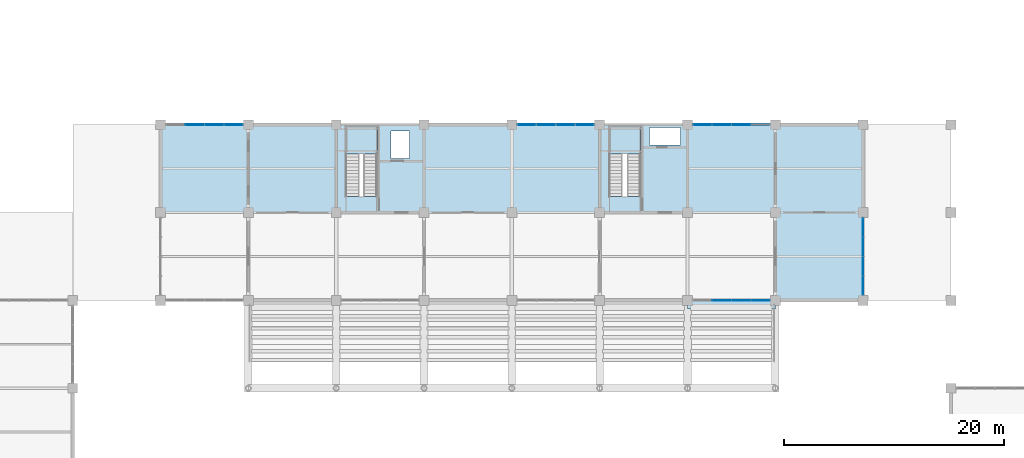
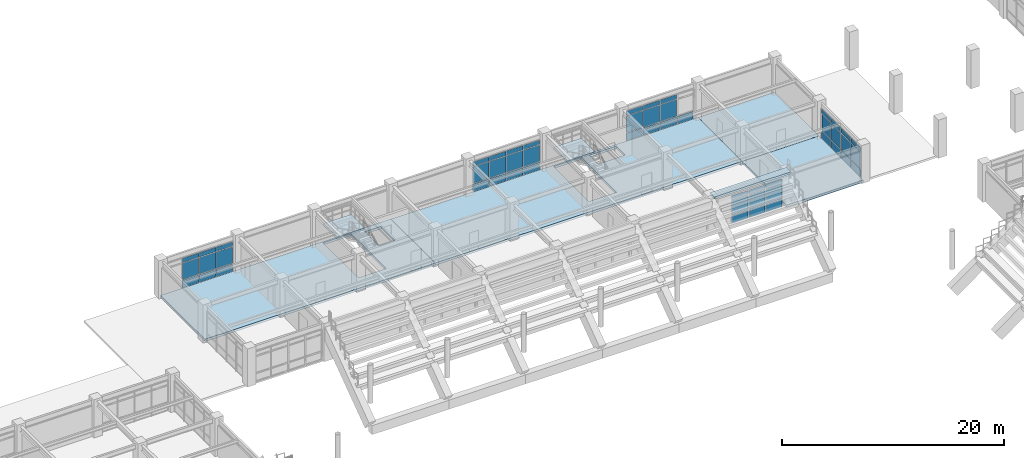
# One storey, part 82 of 118: 52 plates, 7 slabs, 7 elements without a shape of their own.
"""IFC4 building model written with IfcOpenShell, lengths in metres."""

from ifc_helpers import new_model, si_unit, direction, frame, origin, origin_2d, place, context, subcontext, project, spatial, polyline, rectangle, outline, extrude, material, layer, layer_set, type_object, element, aggregate, save


model = new_model("IFC4")

# Units and contexts
model_context = context("Model", 3, precision=1e-05, world=origin(), true_north=direction((0.0, 1.0)))
body_context = subcontext(model_context, "Body", "Model", "MODEL_VIEW")
ifc_project = project(units=[si_unit("LENGTHUNIT", "METRE"), si_unit("AREAUNIT", "SQUARE_METRE"), si_unit("VOLUMEUNIT", "CUBIC_METRE"), si_unit("PLANEANGLEUNIT", "RADIAN"), si_unit("MASSUNIT", "GRAM", prefix="KILO")], contexts=[model_context])

# Site, building, storey
site_placement = place(None, origin())
site = spatial("IfcSite", under=ifc_project, at=site_placement, CompositionType="ELEMENT")
building_placement = place(site_placement, origin())
building = spatial("IfcBuilding", under=site, at=building_placement, Name="Haebicheon Civic Stadium", CompositionType="ELEMENT")
storey_placement = place(building_placement, frame((0.0, 0.0, 14.39990234375)))
storey = spatial("IfcBuildingStorey", under=building, at=storey_placement, Name="L04", CompositionType="ELEMENT", Elevation=14.39990234375)

# Curtain wall, plates
ifc_material_1 = material(Name="Anodised aluminium and laminated glass", Category="aluminium")
ifc_layer_1 = layer(ifc_material_1, 0.179931640625, Name="Anodised aluminium and laminated glass")
ifc_layer_set_1 = layer_set([ifc_layer_1], Name="Anodised aluminium and laminated glass")
curtain_wall_type_1 = type_object("IfcCurtainWallType", Name="CW-7100x3330", PredefinedType="NOTDEFINED", material=ifc_layer_set_1)
curtain_wall_1_placement = place(storey_placement, origin())
curtain_wall_1 = element("IfcCurtainWall", 1, at=curtain_wall_1_placement, inside=storey, type_object=curtain_wall_type_1, material=ifc_layer_set_1, Name="L04 unitised curtain wall 128", PredefinedType="NOTDEFINED")
ifc_material_2 = material(Name="Double low-e acoustic laminated glass", Category="glass")
ifc_layer_2 = layer(ifc_material_2, 0.035888671875, Name="Double low-e acoustic laminated glass")
ifc_layer_set_2 = layer_set([ifc_layer_2], Name="Double low-e acoustic laminated glass")
plate_type_1 = type_object("IfcPlateType", Name="CWP-GLZ-36", PredefinedType="CURTAIN_PANEL", material=ifc_layer_set_2)
plate_1_placement = place(storey_placement, frame((75.112060546875, 168.0, 0.93505859375), z_axis=(0.0, 0.0, 1.0), x_axis=(1.0, 0.0, 0.0)))
plate_1 = element("IfcPlate", 2, at=plate_1_placement, type_object=plate_type_1, material=ifc_layer_set_2, Name="CW-L04-128 vision panel 2.2", PredefinedType="CURTAIN_PANEL", context=body_context, shape_type="SweptSolid", body=[
    extrude(rectangle(XDim=1.705078125, YDim=0.035888671875, at=origin_2d()), origin(), (0.0, 0.0, 1.0), 1.81005859375),
])
plate_2_placement = place(storey_placement, frame((76.887939453125, 168.0, 0.93505859375), z_axis=(0.0, 0.0, 1.0), x_axis=(1.0, 0.0, 0.0)))
plate_2 = element("IfcPlate", 3, at=plate_2_placement, type_object=plate_type_1, material=ifc_layer_set_2, Name="CW-L04-128 vision panel 3.2", PredefinedType="CURTAIN_PANEL", context=body_context, shape_type="SweptSolid", body=[
    extrude(rectangle(XDim=1.705078125, YDim=0.035888671875, at=origin_2d()), origin(), (0.0, 0.0, 1.0), 1.81005859375),
])
plate_3_placement = place(storey_placement, frame((78.64501953125, 168.0, 0.93505859375), z_axis=(0.0, 0.0, 1.0), x_axis=(1.0, 0.0, 0.0)))
plate_3 = element("IfcPlate", 4, at=plate_3_placement, type_object=plate_type_1, material=ifc_layer_set_2, Name="CW-L04-128 vision panel 4.2", PredefinedType="CURTAIN_PANEL", context=body_context, shape_type="SweptSolid", body=[
    extrude(rectangle(XDim=1.669921875, YDim=0.035888671875, at=origin_2d()), origin(), (0.0, 0.0, 1.0), 1.81005859375),
])

curtain_wall_2_placement = place(storey_placement, origin())
curtain_wall_2 = element("IfcCurtainWall", 5, at=curtain_wall_2_placement, inside=storey, type_object=curtain_wall_type_1, material=ifc_layer_set_1, Name="L04 unitised curtain wall 135", PredefinedType="NOTDEFINED")
plate_4_placement = place(storey_placement, frame((105.35498046875, 168.0, 0.93505859375), z_axis=(0.0, 0.0, 1.0), x_axis=(1.0, 0.0, 0.0)))
plate_4 = element("IfcPlate", 6, at=plate_4_placement, type_object=plate_type_1, material=ifc_layer_set_2, Name="CW-L04-135 vision panel 1.2", PredefinedType="CURTAIN_PANEL", context=body_context, shape_type="SweptSolid", body=[
    extrude(rectangle(XDim=1.669921875, YDim=0.035888671875, at=origin_2d()), origin(), (0.0, 0.0, 1.0), 1.81005859375),
])
plate_5_placement = place(storey_placement, frame((107.112060546875, 168.0, 0.93505859375), z_axis=(0.0, 0.0, 1.0), x_axis=(1.0, 0.0, 0.0)))
plate_5 = element("IfcPlate", 7, at=plate_5_placement, type_object=plate_type_1, material=ifc_layer_set_2, Name="CW-L04-135 vision panel 2.2", PredefinedType="CURTAIN_PANEL", context=body_context, shape_type="SweptSolid", body=[
    extrude(rectangle(XDim=1.705078125, YDim=0.035888671875, at=origin_2d()), origin(), (0.0, 0.0, 1.0), 1.81005859375),
])
plate_6_placement = place(storey_placement, frame((108.887939453125, 168.0, 0.93505859375), z_axis=(0.0, 0.0, 1.0), x_axis=(1.0, 0.0, 0.0)))
plate_6 = element("IfcPlate", 8, at=plate_6_placement, type_object=plate_type_1, material=ifc_layer_set_2, Name="CW-L04-135 vision panel 3.2", PredefinedType="CURTAIN_PANEL", context=body_context, shape_type="SweptSolid", body=[
    extrude(rectangle(XDim=1.705078125, YDim=0.035888671875, at=origin_2d()), origin(), (0.0, 0.0, 1.0), 1.81005859375),
])
plate_7_placement = place(storey_placement, frame((110.64501953125, 168.0, 0.93505859375), z_axis=(0.0, 0.0, 1.0), x_axis=(1.0, 0.0, 0.0)))
plate_7 = element("IfcPlate", 9, at=plate_7_placement, type_object=plate_type_1, material=ifc_layer_set_2, Name="CW-L04-135 vision panel 4.2", PredefinedType="CURTAIN_PANEL", context=body_context, shape_type="SweptSolid", body=[
    extrude(rectangle(XDim=1.669921875, YDim=0.035888671875, at=origin_2d()), origin(), (0.0, 0.0, 1.0), 1.81005859375),
])

ifc_material_3 = material(Name="Anodised aluminium and laminated glass", Category="aluminium")
ifc_layer_3 = layer(ifc_material_3, 0.179931640625, Name="Anodised aluminium and laminated glass")
ifc_layer_set_3 = layer_set([ifc_layer_3], Name="Anodised aluminium and laminated glass")
curtain_wall_type_2 = type_object("IfcCurtainWallType", Name="CW-7100x3100", PredefinedType="NOTDEFINED", material=ifc_layer_set_3)
curtain_wall_3_placement = place(storey_placement, origin())
curtain_wall_3 = element("IfcCurtainWall", 10, at=curtain_wall_3_placement, inside=storey, type_object=curtain_wall_type_2, material=ifc_layer_set_3, Name="L04 unitised curtain wall 137", PredefinedType="NOTDEFINED")
plate_8_placement = place(storey_placement, frame((123.112060546875, 152.0, 0.93505859375), z_axis=(0.0, 0.0, 1.0), x_axis=(1.0, 0.0, 0.0)))
plate_8 = element("IfcPlate", 11, at=plate_8_placement, type_object=plate_type_1, material=ifc_layer_set_2, Name="CW-L04-137 vision panel 2.2", PredefinedType="CURTAIN_PANEL", context=body_context, shape_type="SweptSolid", body=[
    extrude(rectangle(XDim=1.705078125, YDim=0.035888671875, at=origin_2d()), origin(), (0.0, 0.0, 1.0), 1.580078125),
])
plate_9_placement = place(storey_placement, frame((124.887939453125, 152.0, 0.93505859375), z_axis=(0.0, 0.0, 1.0), x_axis=(1.0, 0.0, 0.0)))
plate_9 = element("IfcPlate", 12, at=plate_9_placement, type_object=plate_type_1, material=ifc_layer_set_2, Name="CW-L04-137 vision panel 3.2", PredefinedType="CURTAIN_PANEL", context=body_context, shape_type="SweptSolid", body=[
    extrude(rectangle(XDim=1.705078125, YDim=0.035888671875, at=origin_2d()), origin(), (0.0, 0.0, 1.0), 1.580078125),
])
plate_10_placement = place(storey_placement, frame((126.64501953125, 152.0, 0.93505859375), z_axis=(0.0, 0.0, 1.0), x_axis=(1.0, 0.0, 0.0)))
plate_10 = element("IfcPlate", 13, at=plate_10_placement, type_object=plate_type_1, material=ifc_layer_set_2, Name="CW-L04-137 vision panel 4.2", PredefinedType="CURTAIN_PANEL", context=body_context, shape_type="SweptSolid", body=[
    extrude(rectangle(XDim=1.669921875, YDim=0.035888671875, at=origin_2d()), origin(), (0.0, 0.0, 1.0), 1.580078125),
])

curtain_wall_4_placement = place(storey_placement, origin())
curtain_wall_4 = element("IfcCurtainWall", 14, at=curtain_wall_4_placement, inside=storey, type_object=curtain_wall_type_1, material=ifc_layer_set_1, Name="L04 unitised curtain wall 138", PredefinedType="NOTDEFINED")
plate_11_placement = place(storey_placement, frame((121.35498046875, 168.0, 0.93505859375), z_axis=(0.0, 0.0, 1.0), x_axis=(1.0, 0.0, 0.0)))
plate_11 = element("IfcPlate", 15, at=plate_11_placement, type_object=plate_type_1, material=ifc_layer_set_2, Name="CW-L04-138 vision panel 1.2", PredefinedType="CURTAIN_PANEL", context=body_context, shape_type="SweptSolid", body=[
    extrude(rectangle(XDim=1.669921875, YDim=0.035888671875, at=origin_2d()), origin(), (0.0, 0.0, 1.0), 1.81005859375),
])
plate_12_placement = place(storey_placement, frame((123.112060546875, 168.0, 0.93505859375), z_axis=(0.0, 0.0, 1.0), x_axis=(1.0, 0.0, 0.0)))
plate_12 = element("IfcPlate", 16, at=plate_12_placement, type_object=plate_type_1, material=ifc_layer_set_2, Name="CW-L04-138 vision panel 2.2", PredefinedType="CURTAIN_PANEL", context=body_context, shape_type="SweptSolid", body=[
    extrude(rectangle(XDim=1.705078125, YDim=0.035888671875, at=origin_2d()), origin(), (0.0, 0.0, 1.0), 1.81005859375),
])
plate_13_placement = place(storey_placement, frame((124.887939453125, 168.0, 0.93505859375), z_axis=(0.0, 0.0, 1.0), x_axis=(1.0, 0.0, 0.0)))
plate_13 = element("IfcPlate", 17, at=plate_13_placement, type_object=plate_type_1, material=ifc_layer_set_2, Name="CW-L04-138 vision panel 3.2", PredefinedType="CURTAIN_PANEL", context=body_context, shape_type="SweptSolid", body=[
    extrude(rectangle(XDim=1.705078125, YDim=0.035888671875, at=origin_2d()), origin(), (0.0, 0.0, 1.0), 1.81005859375),
])

curtain_wall_5_placement = place(storey_placement, origin())
curtain_wall_5 = element("IfcCurtainWall", 18, at=curtain_wall_5_placement, inside=storey, type_object=curtain_wall_type_1, material=ifc_layer_set_1, Name="L04 unitised curtain wall 142", PredefinedType="NOTDEFINED")
plate_14_placement = place(storey_placement, frame((136.0, 153.35498046875, 0.93505859375), z_axis=(0.0, 0.0, 1.0), x_axis=(0.0, 1.0, 0.0)))
plate_14 = element("IfcPlate", 19, at=plate_14_placement, type_object=plate_type_1, material=ifc_layer_set_2, Name="CW-L04-142 vision panel 1.2", PredefinedType="CURTAIN_PANEL", context=body_context, shape_type="SweptSolid", body=[
    extrude(rectangle(XDim=1.669921875, YDim=0.035888671875, at=origin_2d()), origin(), (0.0, 0.0, 1.0), 1.81005859375),
])
plate_15_placement = place(storey_placement, frame((136.0, 155.112060546875, 0.93505859375), z_axis=(0.0, 0.0, 1.0), x_axis=(0.0, 1.0, 0.0)))
plate_15 = element("IfcPlate", 20, at=plate_15_placement, type_object=plate_type_1, material=ifc_layer_set_2, Name="CW-L04-142 vision panel 2.2", PredefinedType="CURTAIN_PANEL", context=body_context, shape_type="SweptSolid", body=[
    extrude(rectangle(XDim=1.705078125, YDim=0.035888671875, at=origin_2d()), origin(), (0.0, 0.0, 1.0), 1.81005859375),
])
plate_16_placement = place(storey_placement, frame((136.0, 156.887939453125, 0.93505859375), z_axis=(0.0, 0.0, 1.0), x_axis=(0.0, 1.0, 0.0)))
plate_16 = element("IfcPlate", 21, at=plate_16_placement, type_object=plate_type_1, material=ifc_layer_set_2, Name="CW-L04-142 vision panel 3.2", PredefinedType="CURTAIN_PANEL", context=body_context, shape_type="SweptSolid", body=[
    extrude(rectangle(XDim=1.705078125, YDim=0.035888671875, at=origin_2d()), origin(), (0.0, 0.0, 1.0), 1.81005859375),
])
plate_17_placement = place(storey_placement, frame((136.0, 158.64501953125, 0.93505859375), z_axis=(0.0, 0.0, 1.0), x_axis=(0.0, 1.0, 0.0)))
plate_17 = element("IfcPlate", 22, at=plate_17_placement, type_object=plate_type_1, material=ifc_layer_set_2, Name="CW-L04-142 vision panel 4.2", PredefinedType="CURTAIN_PANEL", context=body_context, shape_type="SweptSolid", body=[
    extrude(rectangle(XDim=1.669921875, YDim=0.035888671875, at=origin_2d()), origin(), (0.0, 0.0, 1.0), 1.81005859375),
])

# Plate
ifc_material_4 = material(Name="Anodised aluminium 6063-T6", Category="aluminium")
ifc_layer_4 = layer(ifc_material_4, 0.053955078125, Name="Anodised aluminium 6063-T6")
ifc_layer_set_4 = layer_set([ifc_layer_4], Name="Anodised aluminium 6063-T6")
plate_type_2 = type_object("IfcPlateType", Name="CWP-SPD-54", PredefinedType="CURTAIN_PANEL", material=ifc_layer_set_4)
plate_18_placement = place(storey_placement, frame((75.112060546875, 168.0, 0.03515625), z_axis=(0.0, 0.0, 1.0), x_axis=(1.0, 0.0, 0.0)))
plate_18 = element("IfcPlate", 23, at=plate_18_placement, type_object=plate_type_2, material=ifc_layer_set_4, Name="CW-L04-128 spandrel panel 2.1", PredefinedType="CURTAIN_PANEL", context=body_context, shape_type="SweptSolid", body=[
    extrude(rectangle(XDim=1.705078125, YDim=0.053955078125, at=origin_2d()), origin(), (0.0, 0.0, 1.0), 0.830078125),
])

plate_19_placement = place(storey_placement, frame((75.112060546875, 168.0, 2.815185546875), z_axis=(0.0, 0.0, 1.0), x_axis=(1.0, 0.0, 0.0)))
plate_19 = element("IfcPlate", 24, at=plate_19_placement, type_object=plate_type_2, material=ifc_layer_set_4, Name="CW-L04-128 spandrel panel 2.3", PredefinedType="CURTAIN_PANEL", context=body_context, shape_type="SweptSolid", body=[
    extrude(rectangle(XDim=1.705078125, YDim=0.053955078125, at=origin_2d()), origin(), (0.0, 0.0, 1.0), 0.47998046875),
])

plate_20_placement = place(storey_placement, frame((76.887939453125, 168.0, 0.03515625), z_axis=(0.0, 0.0, 1.0), x_axis=(1.0, 0.0, 0.0)))
plate_20 = element("IfcPlate", 25, at=plate_20_placement, type_object=plate_type_2, material=ifc_layer_set_4, Name="CW-L04-128 spandrel panel 3.1", PredefinedType="CURTAIN_PANEL", context=body_context, shape_type="SweptSolid", body=[
    extrude(rectangle(XDim=1.705078125, YDim=0.053955078125, at=origin_2d()), origin(), (0.0, 0.0, 1.0), 0.830078125),
])

plate_21_placement = place(storey_placement, frame((76.887939453125, 168.0, 2.815185546875), z_axis=(0.0, 0.0, 1.0), x_axis=(1.0, 0.0, 0.0)))
plate_21 = element("IfcPlate", 26, at=plate_21_placement, type_object=plate_type_2, material=ifc_layer_set_4, Name="CW-L04-128 spandrel panel 3.3", PredefinedType="CURTAIN_PANEL", context=body_context, shape_type="SweptSolid", body=[
    extrude(rectangle(XDim=1.705078125, YDim=0.053955078125, at=origin_2d()), origin(), (0.0, 0.0, 1.0), 0.47998046875),
])

plate_22_placement = place(storey_placement, frame((78.64501953125, 168.0, 0.03515625), z_axis=(0.0, 0.0, 1.0), x_axis=(1.0, 0.0, 0.0)))
plate_22 = element("IfcPlate", 27, at=plate_22_placement, type_object=plate_type_2, material=ifc_layer_set_4, Name="CW-L04-128 spandrel panel 4.1", PredefinedType="CURTAIN_PANEL", context=body_context, shape_type="SweptSolid", body=[
    extrude(rectangle(XDim=1.669921875, YDim=0.053955078125, at=origin_2d()), origin(), (0.0, 0.0, 1.0), 0.830078125),
])

plate_23_placement = place(storey_placement, frame((78.64501953125, 168.0, 2.815185546875), z_axis=(0.0, 0.0, 1.0), x_axis=(1.0, 0.0, 0.0)))
plate_23 = element("IfcPlate", 28, at=plate_23_placement, type_object=plate_type_2, material=ifc_layer_set_4, Name="CW-L04-128 spandrel panel 4.3", PredefinedType="CURTAIN_PANEL", context=body_context, shape_type="SweptSolid", body=[
    extrude(rectangle(XDim=1.669921875, YDim=0.053955078125, at=origin_2d()), origin(), (0.0, 0.0, 1.0), 0.47998046875),
])

aggregate(curtain_wall_1, [plate_18, plate_1, plate_19, plate_20, plate_2, plate_21, plate_22, plate_3, plate_23])

plate_24_placement = place(storey_placement, frame((105.35498046875, 168.0, 0.03515625), z_axis=(0.0, 0.0, 1.0), x_axis=(1.0, 0.0, 0.0)))
plate_24 = element("IfcPlate", 29, at=plate_24_placement, type_object=plate_type_2, material=ifc_layer_set_4, Name="CW-L04-135 spandrel panel 1.1", PredefinedType="CURTAIN_PANEL", context=body_context, shape_type="SweptSolid", body=[
    extrude(rectangle(XDim=1.669921875, YDim=0.053955078125, at=origin_2d()), origin(), (0.0, 0.0, 1.0), 0.830078125),
])

plate_25_placement = place(storey_placement, frame((105.35498046875, 168.0, 2.815185546875), z_axis=(0.0, 0.0, 1.0), x_axis=(1.0, 0.0, 0.0)))
plate_25 = element("IfcPlate", 30, at=plate_25_placement, type_object=plate_type_2, material=ifc_layer_set_4, Name="CW-L04-135 spandrel panel 1.3", PredefinedType="CURTAIN_PANEL", context=body_context, shape_type="SweptSolid", body=[
    extrude(rectangle(XDim=1.669921875, YDim=0.053955078125, at=origin_2d()), origin(), (0.0, 0.0, 1.0), 0.47998046875),
])

plate_26_placement = place(storey_placement, frame((107.112060546875, 168.0, 0.03515625), z_axis=(0.0, 0.0, 1.0), x_axis=(1.0, 0.0, 0.0)))
plate_26 = element("IfcPlate", 31, at=plate_26_placement, type_object=plate_type_2, material=ifc_layer_set_4, Name="CW-L04-135 spandrel panel 2.1", PredefinedType="CURTAIN_PANEL", context=body_context, shape_type="SweptSolid", body=[
    extrude(rectangle(XDim=1.705078125, YDim=0.053955078125, at=origin_2d()), origin(), (0.0, 0.0, 1.0), 0.830078125),
])

plate_27_placement = place(storey_placement, frame((107.112060546875, 168.0, 2.815185546875), z_axis=(0.0, 0.0, 1.0), x_axis=(1.0, 0.0, 0.0)))
plate_27 = element("IfcPlate", 32, at=plate_27_placement, type_object=plate_type_2, material=ifc_layer_set_4, Name="CW-L04-135 spandrel panel 2.3", PredefinedType="CURTAIN_PANEL", context=body_context, shape_type="SweptSolid", body=[
    extrude(rectangle(XDim=1.705078125, YDim=0.053955078125, at=origin_2d()), origin(), (0.0, 0.0, 1.0), 0.47998046875),
])

plate_28_placement = place(storey_placement, frame((108.887939453125, 168.0, 0.03515625), z_axis=(0.0, 0.0, 1.0), x_axis=(1.0, 0.0, 0.0)))
plate_28 = element("IfcPlate", 33, at=plate_28_placement, type_object=plate_type_2, material=ifc_layer_set_4, Name="CW-L04-135 spandrel panel 3.1", PredefinedType="CURTAIN_PANEL", context=body_context, shape_type="SweptSolid", body=[
    extrude(rectangle(XDim=1.705078125, YDim=0.053955078125, at=origin_2d()), origin(), (0.0, 0.0, 1.0), 0.830078125),
])

plate_29_placement = place(storey_placement, frame((108.887939453125, 168.0, 2.815185546875), z_axis=(0.0, 0.0, 1.0), x_axis=(1.0, 0.0, 0.0)))
plate_29 = element("IfcPlate", 34, at=plate_29_placement, type_object=plate_type_2, material=ifc_layer_set_4, Name="CW-L04-135 spandrel panel 3.3", PredefinedType="CURTAIN_PANEL", context=body_context, shape_type="SweptSolid", body=[
    extrude(rectangle(XDim=1.705078125, YDim=0.053955078125, at=origin_2d()), origin(), (0.0, 0.0, 1.0), 0.47998046875),
])

plate_30_placement = place(storey_placement, frame((110.64501953125, 168.0, 0.03515625), z_axis=(0.0, 0.0, 1.0), x_axis=(1.0, 0.0, 0.0)))
plate_30 = element("IfcPlate", 35, at=plate_30_placement, type_object=plate_type_2, material=ifc_layer_set_4, Name="CW-L04-135 spandrel panel 4.1", PredefinedType="CURTAIN_PANEL", context=body_context, shape_type="SweptSolid", body=[
    extrude(rectangle(XDim=1.669921875, YDim=0.053955078125, at=origin_2d()), origin(), (0.0, 0.0, 1.0), 0.830078125),
])

plate_31_placement = place(storey_placement, frame((110.64501953125, 168.0, 2.815185546875), z_axis=(0.0, 0.0, 1.0), x_axis=(1.0, 0.0, 0.0)))
plate_31 = element("IfcPlate", 36, at=plate_31_placement, type_object=plate_type_2, material=ifc_layer_set_4, Name="CW-L04-135 spandrel panel 4.3", PredefinedType="CURTAIN_PANEL", context=body_context, shape_type="SweptSolid", body=[
    extrude(rectangle(XDim=1.669921875, YDim=0.053955078125, at=origin_2d()), origin(), (0.0, 0.0, 1.0), 0.47998046875),
])

aggregate(curtain_wall_2, [plate_24, plate_4, plate_25, plate_26, plate_5, plate_27, plate_28, plate_6, plate_29, plate_30, plate_7, plate_31])

plate_32_placement = place(storey_placement, frame((123.112060546875, 152.0, 0.03515625), z_axis=(0.0, 0.0, 1.0), x_axis=(1.0, 0.0, 0.0)))
plate_32 = element("IfcPlate", 37, at=plate_32_placement, type_object=plate_type_2, material=ifc_layer_set_4, Name="CW-L04-137 spandrel panel 2.1", PredefinedType="CURTAIN_PANEL", context=body_context, shape_type="SweptSolid", body=[
    extrude(rectangle(XDim=1.705078125, YDim=0.053955078125, at=origin_2d()), origin(), (0.0, 0.0, 1.0), 0.830078125),
])

plate_33_placement = place(storey_placement, frame((123.112060546875, 152.0, 2.585205078125), z_axis=(0.0, 0.0, 1.0), x_axis=(1.0, 0.0, 0.0)))
plate_33 = element("IfcPlate", 38, at=plate_33_placement, type_object=plate_type_2, material=ifc_layer_set_4, Name="CW-L04-137 spandrel panel 2.3", PredefinedType="CURTAIN_PANEL", context=body_context, shape_type="SweptSolid", body=[
    extrude(rectangle(XDim=1.705078125, YDim=0.053955078125, at=origin_2d()), origin(), (0.0, 0.0, 1.0), 0.47998046875),
])

plate_34_placement = place(storey_placement, frame((124.887939453125, 152.0, 0.03515625), z_axis=(0.0, 0.0, 1.0), x_axis=(1.0, 0.0, 0.0)))
plate_34 = element("IfcPlate", 39, at=plate_34_placement, type_object=plate_type_2, material=ifc_layer_set_4, Name="CW-L04-137 spandrel panel 3.1", PredefinedType="CURTAIN_PANEL", context=body_context, shape_type="SweptSolid", body=[
    extrude(rectangle(XDim=1.705078125, YDim=0.053955078125, at=origin_2d()), origin(), (0.0, 0.0, 1.0), 0.830078125),
])

plate_35_placement = place(storey_placement, frame((124.887939453125, 152.0, 2.585205078125), z_axis=(0.0, 0.0, 1.0), x_axis=(1.0, 0.0, 0.0)))
plate_35 = element("IfcPlate", 40, at=plate_35_placement, type_object=plate_type_2, material=ifc_layer_set_4, Name="CW-L04-137 spandrel panel 3.3", PredefinedType="CURTAIN_PANEL", context=body_context, shape_type="SweptSolid", body=[
    extrude(rectangle(XDim=1.705078125, YDim=0.053955078125, at=origin_2d()), origin(), (0.0, 0.0, 1.0), 0.47998046875),
])

plate_36_placement = place(storey_placement, frame((126.64501953125, 152.0, 0.03515625), z_axis=(0.0, 0.0, 1.0), x_axis=(1.0, 0.0, 0.0)))
plate_36 = element("IfcPlate", 41, at=plate_36_placement, type_object=plate_type_2, material=ifc_layer_set_4, Name="CW-L04-137 spandrel panel 4.1", PredefinedType="CURTAIN_PANEL", context=body_context, shape_type="SweptSolid", body=[
    extrude(rectangle(XDim=1.669921875, YDim=0.053955078125, at=origin_2d()), origin(), (0.0, 0.0, 1.0), 0.830078125),
])

plate_37_placement = place(storey_placement, frame((126.64501953125, 152.0, 2.585205078125), z_axis=(0.0, 0.0, 1.0), x_axis=(1.0, 0.0, 0.0)))
plate_37 = element("IfcPlate", 42, at=plate_37_placement, type_object=plate_type_2, material=ifc_layer_set_4, Name="CW-L04-137 spandrel panel 4.3", PredefinedType="CURTAIN_PANEL", context=body_context, shape_type="SweptSolid", body=[
    extrude(rectangle(XDim=1.669921875, YDim=0.053955078125, at=origin_2d()), origin(), (0.0, 0.0, 1.0), 0.47998046875),
])

aggregate(curtain_wall_3, [plate_32, plate_8, plate_33, plate_34, plate_9, plate_35, plate_36, plate_10, plate_37])

plate_38_placement = place(storey_placement, frame((121.35498046875, 168.0, 0.03515625), z_axis=(0.0, 0.0, 1.0), x_axis=(1.0, 0.0, 0.0)))
plate_38 = element("IfcPlate", 43, at=plate_38_placement, type_object=plate_type_2, material=ifc_layer_set_4, Name="CW-L04-138 spandrel panel 1.1", PredefinedType="CURTAIN_PANEL", context=body_context, shape_type="SweptSolid", body=[
    extrude(rectangle(XDim=1.669921875, YDim=0.053955078125, at=origin_2d()), origin(), (0.0, 0.0, 1.0), 0.830078125),
])

plate_39_placement = place(storey_placement, frame((121.35498046875, 168.0, 2.815185546875), z_axis=(0.0, 0.0, 1.0), x_axis=(1.0, 0.0, 0.0)))
plate_39 = element("IfcPlate", 44, at=plate_39_placement, type_object=plate_type_2, material=ifc_layer_set_4, Name="CW-L04-138 spandrel panel 1.3", PredefinedType="CURTAIN_PANEL", context=body_context, shape_type="SweptSolid", body=[
    extrude(rectangle(XDim=1.669921875, YDim=0.053955078125, at=origin_2d()), origin(), (0.0, 0.0, 1.0), 0.47998046875),
])

plate_40_placement = place(storey_placement, frame((123.112060546875, 168.0, 0.03515625), z_axis=(0.0, 0.0, 1.0), x_axis=(1.0, 0.0, 0.0)))
plate_40 = element("IfcPlate", 45, at=plate_40_placement, type_object=plate_type_2, material=ifc_layer_set_4, Name="CW-L04-138 spandrel panel 2.1", PredefinedType="CURTAIN_PANEL", context=body_context, shape_type="SweptSolid", body=[
    extrude(rectangle(XDim=1.705078125, YDim=0.053955078125, at=origin_2d()), origin(), (0.0, 0.0, 1.0), 0.830078125),
])

plate_41_placement = place(storey_placement, frame((123.112060546875, 168.0, 2.815185546875), z_axis=(0.0, 0.0, 1.0), x_axis=(1.0, 0.0, 0.0)))
plate_41 = element("IfcPlate", 46, at=plate_41_placement, type_object=plate_type_2, material=ifc_layer_set_4, Name="CW-L04-138 spandrel panel 2.3", PredefinedType="CURTAIN_PANEL", context=body_context, shape_type="SweptSolid", body=[
    extrude(rectangle(XDim=1.705078125, YDim=0.053955078125, at=origin_2d()), origin(), (0.0, 0.0, 1.0), 0.47998046875),
])

plate_42_placement = place(storey_placement, frame((124.887939453125, 168.0, 0.03515625), z_axis=(0.0, 0.0, 1.0), x_axis=(1.0, 0.0, 0.0)))
plate_42 = element("IfcPlate", 47, at=plate_42_placement, type_object=plate_type_2, material=ifc_layer_set_4, Name="CW-L04-138 spandrel panel 3.1", PredefinedType="CURTAIN_PANEL", context=body_context, shape_type="SweptSolid", body=[
    extrude(rectangle(XDim=1.705078125, YDim=0.053955078125, at=origin_2d()), origin(), (0.0, 0.0, 1.0), 0.830078125),
])

plate_43_placement = place(storey_placement, frame((124.887939453125, 168.0, 2.815185546875), z_axis=(0.0, 0.0, 1.0), x_axis=(1.0, 0.0, 0.0)))
plate_43 = element("IfcPlate", 48, at=plate_43_placement, type_object=plate_type_2, material=ifc_layer_set_4, Name="CW-L04-138 spandrel panel 3.3", PredefinedType="CURTAIN_PANEL", context=body_context, shape_type="SweptSolid", body=[
    extrude(rectangle(XDim=1.705078125, YDim=0.053955078125, at=origin_2d()), origin(), (0.0, 0.0, 1.0), 0.47998046875),
])

plate_44_placement = place(storey_placement, frame((126.64501953125, 168.0, 0.03515625), z_axis=(0.0, 0.0, 1.0), x_axis=(1.0, 0.0, 0.0)))
plate_44 = element("IfcPlate", 49, at=plate_44_placement, type_object=plate_type_2, material=ifc_layer_set_4, Name="CW-L04-138 spandrel panel 4.1", PredefinedType="CURTAIN_PANEL", context=body_context, shape_type="SweptSolid", body=[
    extrude(rectangle(XDim=1.669921875, YDim=0.053955078125, at=origin_2d()), origin(), (0.0, 0.0, 1.0), 0.830078125),
])

aggregate(curtain_wall_4, [plate_38, plate_11, plate_39, plate_40, plate_12, plate_41, plate_42, plate_13, plate_43, plate_44])

plate_45_placement = place(storey_placement, frame((136.0, 153.35498046875, 0.03515625), z_axis=(0.0, 0.0, 1.0), x_axis=(0.0, 1.0, 0.0)))
plate_45 = element("IfcPlate", 50, at=plate_45_placement, type_object=plate_type_2, material=ifc_layer_set_4, Name="CW-L04-142 spandrel panel 1.1", PredefinedType="CURTAIN_PANEL", context=body_context, shape_type="SweptSolid", body=[
    extrude(rectangle(XDim=1.669921875, YDim=0.053955078125, at=origin_2d()), origin(), (0.0, 0.0, 1.0), 0.830078125),
])

plate_46_placement = place(storey_placement, frame((136.0, 153.35498046875, 2.815185546875), z_axis=(0.0, 0.0, 1.0), x_axis=(0.0, 1.0, 0.0)))
plate_46 = element("IfcPlate", 51, at=plate_46_placement, type_object=plate_type_2, material=ifc_layer_set_4, Name="CW-L04-142 spandrel panel 1.3", PredefinedType="CURTAIN_PANEL", context=body_context, shape_type="SweptSolid", body=[
    extrude(rectangle(XDim=1.669921875, YDim=0.053955078125, at=origin_2d()), origin(), (0.0, 0.0, 1.0), 0.47998046875),
])

plate_47_placement = place(storey_placement, frame((136.0, 155.112060546875, 0.03515625), z_axis=(0.0, 0.0, 1.0), x_axis=(0.0, 1.0, 0.0)))
plate_47 = element("IfcPlate", 52, at=plate_47_placement, type_object=plate_type_2, material=ifc_layer_set_4, Name="CW-L04-142 spandrel panel 2.1", PredefinedType="CURTAIN_PANEL", context=body_context, shape_type="SweptSolid", body=[
    extrude(rectangle(XDim=1.705078125, YDim=0.053955078125, at=origin_2d()), origin(), (0.0, 0.0, 1.0), 0.830078125),
])

plate_48_placement = place(storey_placement, frame((136.0, 155.112060546875, 2.815185546875), z_axis=(0.0, 0.0, 1.0), x_axis=(0.0, 1.0, 0.0)))
plate_48 = element("IfcPlate", 53, at=plate_48_placement, type_object=plate_type_2, material=ifc_layer_set_4, Name="CW-L04-142 spandrel panel 2.3", PredefinedType="CURTAIN_PANEL", context=body_context, shape_type="SweptSolid", body=[
    extrude(rectangle(XDim=1.705078125, YDim=0.053955078125, at=origin_2d()), origin(), (0.0, 0.0, 1.0), 0.47998046875),
])

plate_49_placement = place(storey_placement, frame((136.0, 156.887939453125, 0.03515625), z_axis=(0.0, 0.0, 1.0), x_axis=(0.0, 1.0, 0.0)))
plate_49 = element("IfcPlate", 54, at=plate_49_placement, type_object=plate_type_2, material=ifc_layer_set_4, Name="CW-L04-142 spandrel panel 3.1", PredefinedType="CURTAIN_PANEL", context=body_context, shape_type="SweptSolid", body=[
    extrude(rectangle(XDim=1.705078125, YDim=0.053955078125, at=origin_2d()), origin(), (0.0, 0.0, 1.0), 0.830078125),
])

plate_50_placement = place(storey_placement, frame((136.0, 156.887939453125, 2.815185546875), z_axis=(0.0, 0.0, 1.0), x_axis=(0.0, 1.0, 0.0)))
plate_50 = element("IfcPlate", 55, at=plate_50_placement, type_object=plate_type_2, material=ifc_layer_set_4, Name="CW-L04-142 spandrel panel 3.3", PredefinedType="CURTAIN_PANEL", context=body_context, shape_type="SweptSolid", body=[
    extrude(rectangle(XDim=1.705078125, YDim=0.053955078125, at=origin_2d()), origin(), (0.0, 0.0, 1.0), 0.47998046875),
])

plate_51_placement = place(storey_placement, frame((136.0, 158.64501953125, 0.03515625), z_axis=(0.0, 0.0, 1.0), x_axis=(0.0, 1.0, 0.0)))
plate_51 = element("IfcPlate", 56, at=plate_51_placement, type_object=plate_type_2, material=ifc_layer_set_4, Name="CW-L04-142 spandrel panel 4.1", PredefinedType="CURTAIN_PANEL", context=body_context, shape_type="SweptSolid", body=[
    extrude(rectangle(XDim=1.669921875, YDim=0.053955078125, at=origin_2d()), origin(), (0.0, 0.0, 1.0), 0.830078125),
])

plate_52_placement = place(storey_placement, frame((136.0, 158.64501953125, 2.815185546875), z_axis=(0.0, 0.0, 1.0), x_axis=(0.0, 1.0, 0.0)))
plate_52 = element("IfcPlate", 57, at=plate_52_placement, type_object=plate_type_2, material=ifc_layer_set_4, Name="CW-L04-142 spandrel panel 4.3", PredefinedType="CURTAIN_PANEL", context=body_context, shape_type="SweptSolid", body=[
    extrude(rectangle(XDim=1.669921875, YDim=0.053955078125, at=origin_2d()), origin(), (0.0, 0.0, 1.0), 0.47998046875),
])

aggregate(curtain_wall_5, [plate_45, plate_14, plate_46, plate_47, plate_15, plate_48, plate_49, plate_16, plate_50, plate_51, plate_17, plate_52])

# Slabs
ifc_material_5 = material(Name="Concrete C40/50", Category="concrete")
ifc_layer_5 = layer(ifc_material_5, 0.260009765625, Name="Concrete C40/50")
ifc_layer_set_5 = layer_set([ifc_layer_5], Name="Concrete C40/50")
slab_type_1 = type_object("IfcSlabType", Name="SLB-FLR-260", PredefinedType="FLOOR", material=ifc_layer_set_5)
slab_1_placement = place(storey_placement, frame((0.0, 0.0, -0.260009765625)))
element("IfcSlab", 58, at=slab_1_placement, inside=storey, type_object=slab_type_1, material=ifc_layer_set_5, Name="L04 V2 structural slab 3.1", PredefinedType="FLOOR", context=body_context, shape_type="SweptSolid", body=[
    extrude(outline(polyline([(72.0, 160.0), (72.0, 168.0), (80.0, 168.0), (88.0, 168.0), (96.0, 168.0), (96.0, 160.0), (88.0, 160.0), (80.0, 160.0), (72.0, 160.0)]), holes=[polyline([(88.840087890625, 161.4599609375), (91.739990234375, 161.4599609375), (91.739990234375, 167.840087890625), (88.840087890625, 167.840087890625), (88.840087890625, 161.4599609375)]), polyline([(92.969970703125, 164.929931640625), (94.669921875, 164.929931640625), (94.669921875, 167.429931640625), (92.969970703125, 167.429931640625), (92.969970703125, 164.929931640625)])]), origin(), (0.0, 0.0, 1.0), 0.260009765625),
])
slab_2_placement = place(storey_placement, frame((0.0, 0.0, -0.260009765625)))
element("IfcSlab", 59, at=slab_2_placement, inside=storey, type_object=slab_type_1, material=ifc_layer_set_5, Name="L04 V2 structural slab 6.1", PredefinedType="FLOOR", context=body_context, shape_type="SweptSolid", body=[
    extrude(outline(polyline([(96.0, 168.0), (104.0, 168.0), (112.0, 168.0), (120.0, 168.0), (128.0, 168.0), (128.0, 160.0), (120.0, 160.0), (112.0, 160.0), (104.0, 160.0), (96.0, 160.0), (96.0, 168.0)]), holes=[polyline([(112.840087890625, 161.4599609375), (115.739990234375, 161.4599609375), (115.739990234375, 167.840087890625), (112.840087890625, 167.840087890625), (112.840087890625, 161.4599609375)]), polyline([(116.550048828125, 166.14990234375), (119.35009765625, 166.14990234375), (119.35009765625, 167.75), (116.550048828125, 167.75), (116.550048828125, 166.14990234375)])]), origin(), (0.0, 0.0, 1.0), 0.260009765625),
])
slab_3_placement = place(storey_placement, frame((0.0, 0.0, -0.260009765625)))
element("IfcSlab", 60, at=slab_3_placement, inside=storey, type_object=slab_type_1, material=ifc_layer_set_5, Name="L04 V2 structural slab 11.1", PredefinedType="FLOOR", context=body_context, shape_type="SweptSolid", body=[
    extrude(outline(polyline([(136.0, 160.0), (136.0, 152.0), (128.0, 152.0), (128.0, 160.0), (136.0, 160.0)])), origin(), (0.0, 0.0, 1.0), 0.260009765625),
])
slab_4_placement = place(storey_placement, frame((0.0, 0.0, -0.260009765625)))
element("IfcSlab", 61, at=slab_4_placement, inside=storey, type_object=slab_type_1, material=ifc_layer_set_5, Name="L04 V2 structural slab 12.1", PredefinedType="FLOOR", context=body_context, shape_type="SweptSolid", body=[
    extrude(outline(polyline([(136.0, 160.0), (128.0, 160.0), (128.0, 168.0), (136.0, 168.0), (136.0, 160.0)])), origin(), (0.0, 0.0, 1.0), 0.260009765625),
])

# Stair, slab
ifc_material_6 = material(Name="Concrete C40/50", Category="concrete")
stair_type_1 = type_object("IfcStairType", Name="STR-DL-W128-H42", PredefinedType="HALF_TURN_STAIR", material=ifc_material_6)
stair_1_placement = place(storey_placement, origin())
stair_1 = element("IfcStair", 62, at=stair_1_placement, inside=storey, type_object=stair_type_1, material=ifc_material_6, Name="L04 Escape stair ST-08", PredefinedType="HALF_TURN_STAIR")
ifc_material_7 = material(Name="Concrete C40/50", Category="concrete")
ifc_layer_6 = layer(ifc_material_7, 0.199951171875, Name="Concrete C40/50")
ifc_layer_set_6 = layer_set([ifc_layer_6], Name="Concrete C40/50")
slab_type_2 = type_object("IfcSlabType", Name="SLB-LND-200", PredefinedType="LANDING", material=ifc_layer_set_6)
slab_5_placement = place(storey_placement, frame((0.0, 0.0, 1.900146484375)))
slab_5 = element("IfcSlab", 63, at=slab_5_placement, type_object=slab_type_2, material=ifc_layer_set_6, Name="ST-08 landing 1", PredefinedType="LANDING", context=body_context, shape_type="SweptSolid", body=[
    extrude(outline(polyline([(91.739990234375, 165.35009765625), (91.739990234375, 167.840087890625), (88.840087890625, 167.840087890625), (88.840087890625, 165.35009765625), (91.739990234375, 165.35009765625)])), origin(), (0.0, 0.0, 1.0), 0.199951171875),
])
aggregate(stair_1, [slab_5])

ifc_material_8 = material(Name="Concrete C40/50", Category="concrete")
stair_type_2 = type_object("IfcStairType", Name="STR-DL-W126-H42", PredefinedType="HALF_TURN_STAIR", material=ifc_material_8)
stair_2_placement = place(storey_placement, origin())
stair_2 = element("IfcStair", 64, at=stair_2_placement, inside=storey, type_object=stair_type_2, material=ifc_material_8, Name="L04 Escape stair ST-09", PredefinedType="HALF_TURN_STAIR")
slab_6_placement = place(storey_placement, frame((0.0, 0.0, 1.900146484375)))
slab_6 = element("IfcSlab", 65, at=slab_6_placement, type_object=slab_type_2, material=ifc_layer_set_6, Name="ST-09 landing 1", PredefinedType="LANDING", context=body_context, shape_type="SweptSolid", body=[
    extrude(outline(polyline([(115.739990234375, 165.35009765625), (115.739990234375, 167.840087890625), (112.840087890625, 167.840087890625), (112.840087890625, 165.35009765625), (115.739990234375, 165.35009765625)])), origin(), (0.0, 0.0, 1.0), 0.199951171875),
])
aggregate(stair_2, [slab_6])

# Slab
ifc_material_9 = material(Name="Precast concrete C40/50", Category="concrete")
ifc_layer_7 = layer(ifc_material_9, 0.239990234375, Name="Precast concrete C40/50")
ifc_layer_set_7 = layer_set([ifc_layer_7], Name="Precast concrete C40/50")
slab_type_3 = type_object("IfcSlabType", Name="SLB-TIER-240", PredefinedType="USERDEFINED", material=ifc_layer_set_7)
slab_7_placement = place(storey_placement, frame((0.0, 0.0, 3.960205078125)))
element("IfcSlab", 66, at=slab_7_placement, inside=storey, type_object=slab_type_3, material=ifc_layer_set_7, Name="TIER-N-U precast seating tier bay 6 row-band 10", ObjectType="SEATING TIER", PredefinedType="USERDEFINED", context=body_context, shape_type="SweptSolid", body=[
    extrude(outline(polyline([(120.0, 151.199951171875), (128.0, 151.199951171875), (128.0, 152.0), (120.0, 152.0), (120.0, 151.199951171875)])), origin(), (0.0, 0.0, 1.0), 0.239990234375),
])

save(model, "model.ifc")
